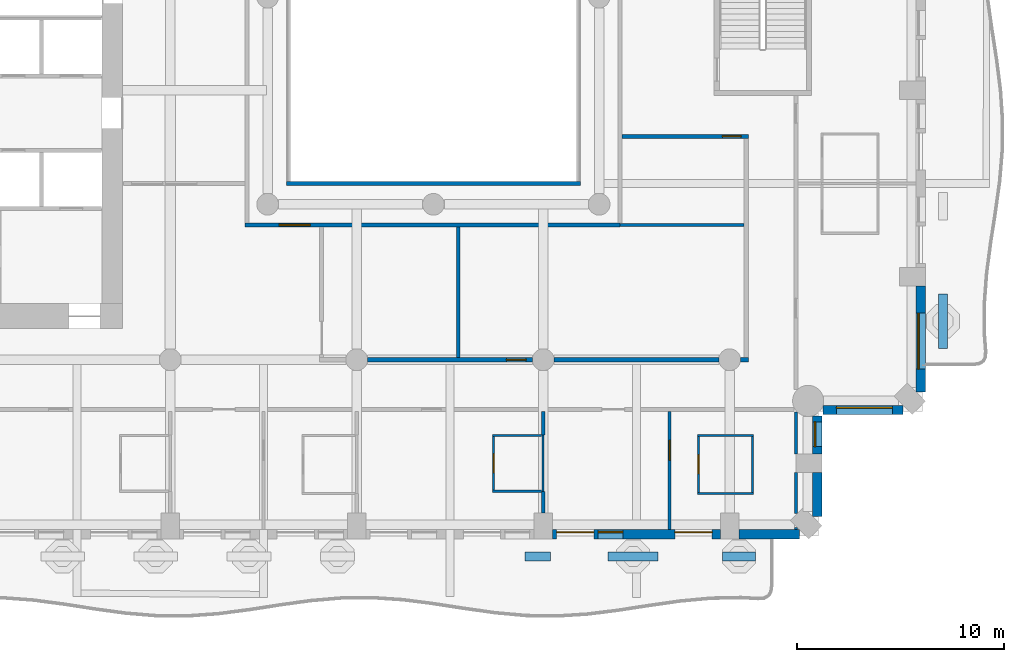
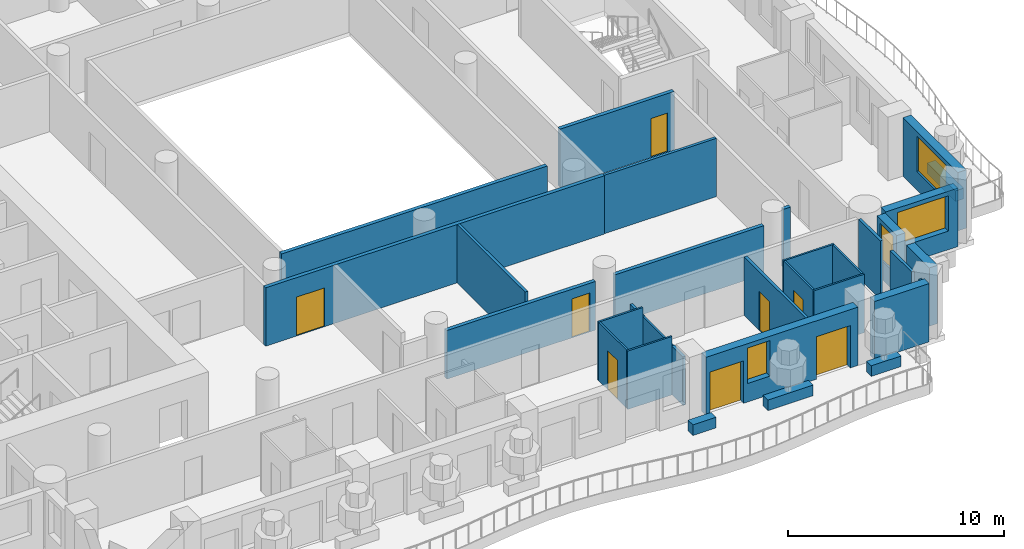
# One storey, part 5 of 19: 32 walls, 8 doors, 4 windows, 12 openings.
"""IFC4 building model written with IfcOpenShell, lengths in metres."""

from ifc_helpers import new_model, si_unit, direction, frame, frame_2d, origin, place, context, subcontext, project, spatial, rectangle, extrude, material, layer, layer_set, type_object, element, fill, save


model = new_model("IFC4")

# Units and contexts
model_context = context("Model", 3, precision=1e-05, world=origin(), true_north=direction((0.0, 1.0)))
body_context = subcontext(model_context, "Body", "Model", "MODEL_VIEW")
ifc_project = project(units=[si_unit("LENGTHUNIT", "METRE"), si_unit("AREAUNIT", "SQUARE_METRE"), si_unit("VOLUMEUNIT", "CUBIC_METRE"), si_unit("PLANEANGLEUNIT", "RADIAN"), si_unit("MASSUNIT", "GRAM", prefix="KILO")], contexts=[model_context])

# Site, building, storey
site_placement = place(None, origin())
site = spatial("IfcSite", under=ifc_project, at=site_placement, CompositionType="ELEMENT")
building_placement = place(site_placement, origin())
building = spatial("IfcBuilding", under=site, at=building_placement, Name="Cypress Arch Tower", CompositionType="ELEMENT")
storey_placement = place(building_placement, frame((0.0, 0.0, 105.89990234375)))
storey = spatial("IfcBuildingStorey", under=building, at=storey_placement, Name="L21", CompositionType="ELEMENT", Elevation=105.89990234375)

# Walls
ifc_material_1 = material(Name="Concrete C40/50, waterproofed", Category="concrete")
ifc_layer_1 = layer(ifc_material_1, 0.449951171875)
ifc_layer_set_1 = layer_set([ifc_layer_1], Name="Balcony planter wall PW450")
wall_type_1 = type_object("IfcWallType", Name="Balcony planter wall PW450", PredefinedType="SOLIDWALL", material=ifc_layer_set_1)
wall_1_placement = place(storey_placement, frame((5.419921875, -27.0, 0.0), z_axis=(0.0, 0.0, 1.0), x_axis=(1.0, 0.0, 0.0)))
element("IfcWall", 1, at=wall_1_placement, inside=storey, type_object=wall_type_1, Name="Balcony planter wall L21-A03.5", PredefinedType="SOLIDWALL", context=body_context, shape_type="SweptSolid", body=[
    extrude(rectangle(XDim=1.22998046875, YDim=0.449951171875, at=frame_2d((0.614990234375, 0.0))), origin(), (0.0, 0.0, 1.0), 0.60009765625),
])
wall_2_placement = place(storey_placement, frame((9.429931640625, -27.0, 0.0), z_axis=(0.0, 0.0, 1.0), x_axis=(1.0, 0.0, 0.0)))
element("IfcWall", 2, at=wall_2_placement, inside=storey, type_object=wall_type_1, Name="Balcony planter wall L21-A03.6", PredefinedType="SOLIDWALL", context=body_context, shape_type="SweptSolid", body=[
    extrude(rectangle(XDim=2.420166015625, YDim=0.449951171875, at=frame_2d((1.2099609375, 0.0))), origin(), (0.0, 0.0, 1.0), 0.60009765625),
])
wall_3_placement = place(storey_placement, frame((14.949951171875, -27.0, 0.0), z_axis=(0.0, 0.0, 1.0), x_axis=(1.0, 0.0, 0.0)))
element("IfcWall", 3, at=wall_3_placement, inside=storey, type_object=wall_type_1, Name="Balcony planter wall L21-A03.7", PredefinedType="SOLIDWALL", context=body_context, shape_type="SweptSolid", body=[
    extrude(rectangle(XDim=1.60009765625, YDim=0.449951171875, at=frame_2d((0.800048828125, 0.0))), origin(), (0.0, 0.0, 1.0), 0.60009765625),
])
wall_4_placement = place(storey_placement, frame((25.60009765625, -16.949951171875, 0.0), z_axis=(0.0, 0.0, 1.0), x_axis=(0.0, 1.0, 0.0)))
element("IfcWall", 4, at=wall_4_placement, inside=storey, type_object=wall_type_1, Name="Balcony planter wall L21-A06.1", PredefinedType="SOLIDWALL", context=body_context, shape_type="SweptSolid", body=[
    extrude(rectangle(XDim=2.6142578125, YDim=0.449951171875, at=frame_2d((1.30712890625, 0.0))), origin(), (0.0, 0.0, 1.0), 0.60009765625),
])

# Wall, openings, doors, window
ifc_material_2 = material(Name="Brick (red buff blend)", Category="masonry")
ifc_layer_2 = layer(ifc_material_2, 0.449951171875)
ifc_layer_set_2 = layer_set([ifc_layer_2], Name="Brick pier and spandrel wall BW450")
wall_type_2 = type_object("IfcWallType", Name="Brick pier and spandrel wall BW450", PredefinedType="SOLIDWALL", material=ifc_layer_set_2)
wall_5_placement = place(storey_placement, frame((6.75, -25.925048828125, 0.0), z_axis=(0.0, 0.0, 1.0), x_axis=(1.0, 0.0, 0.0)))
wall_5 = element("IfcWall", 5, at=wall_5_placement, inside=storey, type_object=wall_type_2, Name="Brick wall L21 A03.4", PredefinedType="SOLIDWALL", context=body_context, shape_type="SweptSolid", body=[
    extrude(rectangle(XDim=8.10009765625, YDim=0.449951171875, at=frame_2d((4.050048828125, 0.0))), origin(), (0.0, 0.0, 1.0), 3.300048828125),
])
opening_1_placement = place(wall_5_placement, frame((0.199951171875, 0.0, 0.0)))
opening_1 = element("IfcOpeningElement", 6, at=opening_1_placement, cuts=wall_5, Name="Opening D-L21-A03.4.1", PredefinedType="OPENING", context=body_context, shape_type="SweptSolid", body=[
    extrude(rectangle(XDim=1.800048828125, YDim=2.39990234375, at=frame_2d((0.89990234375, 1.199951171875))), frame((0.0, 0.23486328125, 0.0), z_axis=(0.0, -1.0, 0.0), x_axis=(1.0, 0.0, 0.0)), (0.0, 0.0, 1.0), 0.469970703125),
])
opening_2_placement = place(wall_5_placement, frame((2.199951171875, 0.0, 1.050048828125)))
opening_2 = element("IfcOpeningElement", 7, at=opening_2_placement, cuts=wall_5, Name="Opening W120HD", PredefinedType="OPENING", context=body_context, shape_type="SweptSolid", body=[
    extrude(rectangle(XDim=1.199951171875, YDim=2.0, at=frame_2d((0.60009765625, 1.0))), frame((0.0, 0.23486328125, 0.0), z_axis=(0.0, -1.0, 0.0), x_axis=(1.0, 0.0, 0.0)), (0.0, 0.0, 1.0), 0.469970703125),
])
opening_3_placement = place(wall_5_placement, frame((5.89990234375, 0.0, 0.0)))
opening_3 = element("IfcOpeningElement", 8, at=opening_3_placement, cuts=wall_5, Name="Opening D-L21-A03.4.2", PredefinedType="OPENING", context=body_context, shape_type="SweptSolid", body=[
    extrude(rectangle(XDim=1.800048828125, YDim=2.39990234375, at=frame_2d((0.89990234375, 1.199951171875))), frame((0.0, 0.23486328125, 0.0), z_axis=(0.0, -1.0, 0.0), x_axis=(1.0, 0.0, 0.0)), (0.0, 0.0, 1.0), 0.469970703125),
])
ifc_material_3 = material(Name="Anodised aluminium, bronze finish, laminated low-emissivity double glazing, large-missile impact rated", Category="aluminium")
door_type_1 = type_object("IfcDoorType", Name="Balcony sliding door 1800x2400", OperationType="SLIDING_TO_LEFT", PredefinedType="DOOR", material=ifc_material_3)
door_1_placement = place(opening_1_placement, origin())
door_1 = element("IfcDoor", 9, at=door_1_placement, inside=storey, type_object=door_type_1, Name="Balcony door L21 A03.4.1", OperationType="SLIDING_TO_LEFT", OverallHeight=2.39990234375, OverallWidth=1.800048828125, PredefinedType="DOOR", context=body_context, shape_type="SweptSolid", body=[
    extrude(rectangle(XDim=1.800048828125, YDim=2.39990234375, at=frame_2d((0.89990234375, 1.199951171875))), frame((0.0, 0.1298828125, 0.0), z_axis=(0.0, -1.0, 0.0), x_axis=(1.0, 0.0, 0.0)), (0.0, 0.0, 1.0), 0.050048828125),
])
fill(opening_1, door_1)
door_2_placement = place(opening_3_placement, origin())
door_2 = element("IfcDoor", 10, at=door_2_placement, inside=storey, type_object=door_type_1, Name="Balcony door L21 A03.4.2", OperationType="SLIDING_TO_LEFT", OverallHeight=2.39990234375, OverallWidth=1.800048828125, PredefinedType="DOOR", context=body_context, shape_type="SweptSolid", body=[
    extrude(rectangle(XDim=1.800048828125, YDim=2.39990234375, at=frame_2d((0.89990234375, 1.199951171875))), frame((0.0, 0.1298828125, 0.0), z_axis=(0.0, -1.0, 0.0), x_axis=(1.0, 0.0, 0.0)), (0.0, 0.0, 1.0), 0.050048828125),
])
fill(opening_3, door_2)
ifc_material_4 = material(Name="Anodised aluminium, bronze finish, laminated low-emissivity double glazing, large-missile impact rated", Category="aluminium")
window_type_1 = type_object("IfcWindowType", Name="Window Hotel 1200x2000 debris-rated", PartitioningType="SINGLE_PANEL", PredefinedType="WINDOW", material=ifc_material_4)
window_1_placement = place(opening_2_placement, origin())
window_1 = element("IfcWindow", 11, at=window_1_placement, inside=storey, type_object=window_type_1, Name="Window L21 A03.4.1", OverallHeight=2.0, OverallWidth=1.199951171875, PartitioningType="SINGLE_PANEL", PredefinedType="WINDOW", context=body_context, shape_type="SweptSolid", body=[
    extrude(rectangle(XDim=1.199951171875, YDim=2.0, at=frame_2d((0.60009765625, 1.0))), frame((0.0, 0.135009765625, 0.0), z_axis=(0.0, -1.0, 0.0), x_axis=(1.0, 0.0, 0.0)), (0.0, 0.0, 1.0), 0.06005859375),
])
fill(opening_2, window_1)

# Walls
wall_6_placement = place(storey_placement, frame((15.75, -25.925048828125, 0.0), z_axis=(0.0, 0.0, 1.0), x_axis=(1.0, 0.0, 0.0)))
element("IfcWall", 12, at=wall_6_placement, inside=storey, type_object=wall_type_2, Name="Brick wall L21 A03.5", PredefinedType="SOLIDWALL", context=body_context, shape_type="SweptSolid", body=[
    extrude(rectangle(XDim=2.91357421875, YDim=0.449951171875, at=frame_2d((1.456787109375, 0.0))), origin(), (0.0, 0.0, 1.0), 3.300048828125),
])
wall_7_placement = place(storey_placement, frame((19.52490234375, -25.063720703125, 0.0), z_axis=(0.0, 0.0, 1.0), x_axis=(0.0, 1.0, 0.0)))
element("IfcWall", 13, at=wall_7_placement, inside=storey, type_object=wall_type_2, Name="Brick wall L21 A04.0", PredefinedType="SOLIDWALL", context=body_context, shape_type="SweptSolid", body=[
    extrude(rectangle(XDim=2.11376953125, YDim=0.449951171875, at=frame_2d((1.056884765625, 0.0))), origin(), (0.0, 0.0, 1.0), 3.300048828125),
])

# Wall, opening, window
wall_8_placement = place(storey_placement, frame((19.52490234375, -22.050048828125, 0.0), z_axis=(0.0, 0.0, 1.0), x_axis=(0.0, 1.0, 0.0)))
wall_8 = element("IfcWall", 14, at=wall_8_placement, inside=storey, type_object=wall_type_2, Name="Brick wall L21 A04.1", PredefinedType="SOLIDWALL", context=body_context, shape_type="SweptSolid", body=[
    extrude(rectangle(XDim=1.843017578125, YDim=0.449951171875, at=frame_2d((0.92138671875, 0.0))), origin(), (0.0, 0.0, 1.0), 3.300048828125),
])
opening_4_placement = place(wall_8_placement, frame((0.35009765625, 0.0, 1.050048828125)))
opening_4 = element("IfcOpeningElement", 15, at=opening_4_placement, cuts=wall_8, Name="Opening W120H", PredefinedType="OPENING", context=body_context, shape_type="SweptSolid", body=[
    extrude(rectangle(XDim=1.199951171875, YDim=2.0, at=frame_2d((0.60009765625, 1.0))), frame((0.0, 0.23486328125, 0.0), z_axis=(0.0, -1.0, 0.0), x_axis=(1.0, 0.0, 0.0)), (0.0, 0.0, 1.0), 0.469970703125),
])
ifc_material_5 = material(Name="Anodised aluminium, bronze finish, clear low-emissivity double glazing", Category="aluminium")
window_type_2 = type_object("IfcWindowType", Name="Window Hotel 1200x2000", PartitioningType="SINGLE_PANEL", PredefinedType="WINDOW", material=ifc_material_5)
window_2_placement = place(opening_4_placement, origin())
window_2 = element("IfcWindow", 16, at=window_2_placement, inside=storey, type_object=window_type_2, Name="Window L21 A04.1.1", OverallHeight=2.0, OverallWidth=1.199951171875, PartitioningType="SINGLE_PANEL", PredefinedType="WINDOW", context=body_context, shape_type="SweptSolid", body=[
    extrude(rectangle(XDim=1.199951171875, YDim=2.0, at=frame_2d((0.60009765625, 1.0))), frame((0.0, 0.135009765625, 0.0), z_axis=(0.0, -1.0, 0.0), x_axis=(1.0, 0.0, 0.0)), (0.0, 0.0, 1.0), 0.06005859375),
])
fill(opening_4, window_2)

wall_9_placement = place(storey_placement, frame((19.806884765625, -19.925048828125, 0.0), z_axis=(0.0, 0.0, 1.0), x_axis=(1.0, 0.0, 0.0)))
wall_9 = element("IfcWall", 17, at=wall_9_placement, inside=storey, type_object=wall_type_2, Name="Brick wall L21 A05.0", PredefinedType="SOLIDWALL", context=body_context, shape_type="SweptSolid", body=[
    extrude(rectangle(XDim=3.856689453125, YDim=0.449951171875, at=frame_2d((1.92822265625, 0.0))), origin(), (0.0, 0.0, 1.0), 3.300048828125),
])
opening_5_placement = place(wall_9_placement, frame((0.64306640625, 0.0, 1.050048828125)))
opening_5 = element("IfcOpeningElement", 18, at=opening_5_placement, cuts=wall_9, Name="Opening W270H", PredefinedType="OPENING", context=body_context, shape_type="SweptSolid", body=[
    extrude(rectangle(XDim=2.699951171875, YDim=2.0, at=frame_2d((1.35009765625, 1.0))), frame((0.0, 0.23486328125, 0.0), z_axis=(0.0, -1.0, 0.0), x_axis=(1.0, 0.0, 0.0)), (0.0, 0.0, 1.0), 0.469970703125),
])
ifc_material_6 = material(Name="Anodised aluminium, bronze finish, clear low-emissivity double glazing", Category="aluminium")
window_type_3 = type_object("IfcWindowType", Name="Window Hotel 2700x2000", PartitioningType="SINGLE_PANEL", PredefinedType="WINDOW", material=ifc_material_6)
window_3_placement = place(opening_5_placement, origin())
window_3 = element("IfcWindow", 19, at=window_3_placement, inside=storey, type_object=window_type_3, Name="Window L21 A05.0.1", OverallHeight=2.0, OverallWidth=2.699951171875, PartitioningType="SINGLE_PANEL", PredefinedType="WINDOW", context=body_context, shape_type="SweptSolid", body=[
    extrude(rectangle(XDim=2.699951171875, YDim=2.0, at=frame_2d((1.35009765625, 1.0))), frame((0.0, 0.135009765625, 0.0), z_axis=(0.0, -1.0, 0.0), x_axis=(1.0, 0.0, 0.0)), (0.0, 0.0, 1.0), 0.06005859375),
])
fill(opening_5, window_3)

wall_10_placement = place(storey_placement, frame((24.52490234375, -19.063720703125, 0.0), z_axis=(0.0, 0.0, 1.0), x_axis=(0.0, 1.0, 0.0)))
wall_10 = element("IfcWall", 20, at=wall_10_placement, inside=storey, type_object=wall_type_2, Name="Brick wall L21 A06.0", PredefinedType="SOLIDWALL", context=body_context, shape_type="SweptSolid", body=[
    extrude(rectangle(XDim=5.11376953125, YDim=0.449951171875, at=frame_2d((2.556884765625, 0.0))), origin(), (0.0, 0.0, 1.0), 3.300048828125),
])
opening_6_placement = place(wall_10_placement, frame((1.113525390625, 0.0, 1.050048828125)))
opening_6 = element("IfcOpeningElement", 21, at=opening_6_placement, cuts=wall_10, Name="Opening W270HD", PredefinedType="OPENING", context=body_context, shape_type="SweptSolid", body=[
    extrude(rectangle(XDim=2.699951171875, YDim=2.0, at=frame_2d((1.35009765625, 1.0))), frame((0.0, 0.23486328125, 0.0), z_axis=(0.0, -1.0, 0.0), x_axis=(1.0, 0.0, 0.0)), (0.0, 0.0, 1.0), 0.469970703125),
])
ifc_material_7 = material(Name="Anodised aluminium, bronze finish, laminated low-emissivity double glazing, large-missile impact rated", Category="aluminium")
window_type_4 = type_object("IfcWindowType", Name="Window Hotel 2700x2000 debris-rated", PartitioningType="SINGLE_PANEL", PredefinedType="WINDOW", material=ifc_material_7)
window_4_placement = place(opening_6_placement, origin())
window_4 = element("IfcWindow", 22, at=window_4_placement, inside=storey, type_object=window_type_4, Name="Window L21 A06.0.1", OverallHeight=2.0, OverallWidth=2.699951171875, PartitioningType="SINGLE_PANEL", PredefinedType="WINDOW", context=body_context, shape_type="SweptSolid", body=[
    extrude(rectangle(XDim=2.699951171875, YDim=2.0, at=frame_2d((1.35009765625, 1.0))), frame((0.0, 0.135009765625, 0.0), z_axis=(0.0, -1.0, 0.0), x_axis=(1.0, 0.0, 0.0)), (0.0, 0.0, 1.0), 0.06005859375),
])
fill(opening_6, window_4)

# Wall, opening, door
ifc_material_8 = material(Name="Concrete blockwork, plastered, rated", Category="masonry")
ifc_layer_3 = layer(ifc_material_8, 0.199951171875)
ifc_layer_set_3 = layer_set([ifc_layer_3], Name="Corridor wall FW200")
wall_type_3 = type_object("IfcWallType", Name="Corridor wall FW200", PredefinedType="PARTITIONING", material=ifc_layer_set_3)
wall_11_placement = place(storey_placement, frame((-8.10009765625, -11.0, 0.0), z_axis=(0.0, 0.0, 1.0), x_axis=(1.0, 0.0, 0.0)))
wall_11 = element("IfcWall", 23, at=wall_11_placement, inside=storey, type_object=wall_type_3, Name="Corridor wall", PredefinedType="PARTITIONING", context=body_context, shape_type="SweptSolid", body=[
    extrude(rectangle(XDim=18.10009765625, YDim=0.199951171875, at=frame_2d((9.050048828125, 0.0))), origin(), (0.0, 0.0, 1.0), 3.300048828125),
])
opening_7_placement = place(wall_11_placement, frame((1.64990234375, 0.0, 0.0)))
opening_7 = element("IfcOpeningElement", 24, at=opening_7_placement, cuts=wall_11, Name="Opening D04", PredefinedType="OPENING", context=body_context, shape_type="SweptSolid", body=[
    extrude(rectangle(XDim=1.5, YDim=2.199951171875, at=frame_2d((0.75, 1.10009765625))), frame((0.0, 0.10986328125, 0.0), z_axis=(0.0, -1.0, 0.0), x_axis=(1.0, 0.0, 0.0)), (0.0, 0.0, 1.0), 0.219970703125),
])
ifc_material_9 = material(Name="Timber double door", Category="wood")
door_type_2 = type_object("IfcDoorType", Name="Double door D04 1500x2200", OperationType="DOUBLE_DOOR_SINGLE_SWING", PredefinedType="DOOR", material=ifc_material_9)
door_3_placement = place(opening_7_placement, origin())
door_3 = element("IfcDoor", 25, at=door_3_placement, inside=storey, type_object=door_type_2, Name="Double door", OperationType="DOUBLE_DOOR_SINGLE_SWING", OverallHeight=2.199951171875, OverallWidth=1.5, PredefinedType="DOOR", context=body_context, shape_type="SweptSolid", body=[
    extrude(rectangle(XDim=1.5, YDim=2.199951171875, at=frame_2d((0.75, 1.10009765625))), frame((0.0, 0.02490234375, 0.0), z_axis=(0.0, -1.0, 0.0), x_axis=(1.0, 0.0, 0.0)), (0.0, 0.0, 1.0), 0.050048828125),
])
fill(opening_7, door_3)

# Wall
wall_12_placement = place(storey_placement, frame((-6.10009765625, -9.0, 0.0), z_axis=(0.0, 0.0, 1.0), x_axis=(1.0, 0.0, 0.0)))
element("IfcWall", 26, at=wall_12_placement, inside=storey, type_object=wall_type_3, Name="Corridor wall", PredefinedType="PARTITIONING", context=body_context, shape_type="SweptSolid", body=[
    extrude(rectangle(XDim=14.2001953125, YDim=0.199951171875, at=frame_2d((7.10009765625, 0.0))), origin(), (0.0, 0.0, 1.0), 3.300048828125),
])

# Wall, opening, door
wall_13_placement = place(storey_placement, frame((-2.175048828125, -17.5, 0.0), z_axis=(0.0, 0.0, 1.0), x_axis=(1.0, 0.0, 0.0)))
wall_13 = element("IfcWall", 27, at=wall_13_placement, inside=storey, type_object=wall_type_3, Name="Corridor wall", PredefinedType="PARTITIONING", context=body_context, shape_type="SweptSolid", body=[
    extrude(rectangle(XDim=7.949951171875, YDim=0.199951171875, at=frame_2d((3.97509765625, 0.0))), origin(), (0.0, 0.0, 1.0), 2.75),
])
opening_8_placement = place(wall_13_placement, frame((6.699951171875, 0.0, 0.0)))
opening_8 = element("IfcOpeningElement", 28, at=opening_8_placement, cuts=wall_13, Name="Opening D02", PredefinedType="OPENING", context=body_context, shape_type="SweptSolid", body=[
    extrude(rectangle(XDim=0.949951171875, YDim=2.199951171875, at=frame_2d((0.47509765625, 1.10009765625))), frame((0.0, 0.10986328125, 0.0), z_axis=(0.0, -1.0, 0.0), x_axis=(1.0, 0.0, 0.0)), (0.0, 0.0, 1.0), 0.219970703125),
])
ifc_material_10 = material(Name="Timber flush door, fire resisting", Category="wood")
door_type_3 = type_object("IfcDoorType", Name="Room door D02 950x2200", OperationType="SINGLE_SWING_LEFT", PredefinedType="DOOR", material=ifc_material_10)
door_4_placement = place(opening_8_placement, origin())
door_4 = element("IfcDoor", 29, at=door_4_placement, inside=storey, type_object=door_type_3, Name="Room door", OperationType="SINGLE_SWING_RIGHT", OverallHeight=2.199951171875, OverallWidth=0.949951171875, PredefinedType="DOOR", context=body_context, shape_type="SweptSolid", body=[
    extrude(rectangle(XDim=0.949951171875, YDim=2.199951171875, at=frame_2d((0.47509765625, 1.10009765625))), frame((0.0, 0.02490234375, 0.0), z_axis=(0.0, -1.0, 0.0), x_axis=(1.0, 0.0, 0.0)), (0.0, 0.0, 1.0), 0.050048828125),
])
fill(opening_8, door_4)

# Walls
wall_14_placement = place(storey_placement, frame((6.824951171875, -17.5, 0.0), z_axis=(0.0, 0.0, 1.0), x_axis=(1.0, 0.0, 0.0)))
element("IfcWall", 30, at=wall_14_placement, inside=storey, type_object=wall_type_3, Name="Corridor wall", PredefinedType="PARTITIONING", context=body_context, shape_type="SweptSolid", body=[
    extrude(rectangle(XDim=7.949951171875, YDim=0.199951171875, at=frame_2d((3.97509765625, 0.0))), origin(), (0.0, 0.0, 1.0), 2.75),
])
wall_15_placement = place(storey_placement, frame((15.824951171875, -17.5, 0.0), z_axis=(0.0, 0.0, 1.0), x_axis=(1.0, 0.0, 0.0)))
element("IfcWall", 31, at=wall_15_placement, inside=storey, type_object=wall_type_3, Name="Corridor wall", PredefinedType="PARTITIONING", context=body_context, shape_type="SweptSolid", body=[
    extrude(rectangle(XDim=0.375, YDim=0.199951171875, at=frame_2d((0.1875, 0.0))), origin(), (0.0, 0.0, 1.0), 3.300048828125),
])

# Wall, opening, door
wall_16_placement = place(storey_placement, frame((10.10009765625, -6.72509765625, 0.0), z_axis=(0.0, 0.0, 1.0), x_axis=(1.0, 0.0, 0.0)))
wall_16 = element("IfcWall", 32, at=wall_16_placement, inside=storey, type_object=wall_type_3, Name="Corridor wall", PredefinedType="PARTITIONING", context=body_context, shape_type="SweptSolid", body=[
    extrude(rectangle(XDim=6.099853515625, YDim=0.199951171875, at=frame_2d((3.0498046875, 0.0))), origin(), (0.0, 0.0, 1.0), 3.300048828125),
])
opening_9_placement = place(wall_16_placement, frame((4.85009765625, 0.0, 0.0)))
opening_9 = element("IfcOpeningElement", 33, at=opening_9_placement, cuts=wall_16, Name="Opening D05", PredefinedType="OPENING", context=body_context, shape_type="SweptSolid", body=[
    extrude(rectangle(XDim=0.89990234375, YDim=2.199951171875, at=frame_2d((0.449951171875, 1.10009765625))), frame((0.0, 0.10986328125, 0.0), z_axis=(0.0, -1.0, 0.0), x_axis=(1.0, 0.0, 0.0)), (0.0, 0.0, 1.0), 0.219970703125),
])
ifc_material_11 = material(Name="Timber flush door", Category="wood")
door_type_4 = type_object("IfcDoorType", Name="Service door D05 900x2200", OperationType="SINGLE_SWING_LEFT", PredefinedType="DOOR", material=ifc_material_11)
door_5_placement = place(opening_9_placement, origin())
door_5 = element("IfcDoor", 34, at=door_5_placement, inside=storey, type_object=door_type_4, Name="Service door", OperationType="SINGLE_SWING_LEFT", OverallHeight=2.199951171875, OverallWidth=0.89990234375, PredefinedType="DOOR", context=body_context, shape_type="SweptSolid", body=[
    extrude(rectangle(XDim=0.89990234375, YDim=2.199951171875, at=frame_2d((0.449951171875, 1.10009765625))), frame((0.0, 0.02490234375, 0.0), z_axis=(0.0, -1.0, 0.0), x_axis=(1.0, 0.0, 0.0)), (0.0, 0.0, 1.0), 0.050048828125),
])
fill(opening_9, door_5)

# Walls
ifc_material_12 = material(Name="Blockwork, plastered both sides", Category="masonry")
ifc_layer_4 = layer(ifc_material_12, 0.14990234375)
ifc_layer_set_4 = layer_set([ifc_layer_4], Name="Partition PW150")
wall_type_4 = type_object("IfcWallType", Name="Partition PW150", PredefinedType="PARTITIONING", material=ifc_layer_set_4)
wall_17_placement = place(storey_placement, frame((2.199951171875, -17.39990234375, 0.0), z_axis=(0.0, 0.0, 1.0), x_axis=(0.0, 1.0, 0.0)))
element("IfcWall", 35, at=wall_17_placement, inside=storey, type_object=wall_type_4, Name="Partition", PredefinedType="PARTITIONING", context=body_context, shape_type="SweptSolid", body=[
    extrude(rectangle(XDim=6.2998046875, YDim=0.14990234375, at=frame_2d((3.14990234375, 0.0))), origin(), (0.0, 0.0, 1.0), 3.300048828125),
])
wall_18_placement = place(storey_placement, frame((6.300048828125, -24.89990234375, 0.0), z_axis=(0.0, 0.0, 1.0), x_axis=(0.0, 1.0, 0.0)))
element("IfcWall", 36, at=wall_18_placement, inside=storey, type_object=wall_type_4, Name="Partition", PredefinedType="PARTITIONING", context=body_context, shape_type="SweptSolid", body=[
    extrude(rectangle(XDim=1.02978515625, YDim=0.14990234375, at=frame_2d((0.514892578125, 0.0))), origin(), (0.0, 0.0, 1.0), 2.75),
])
wall_19_placement = place(storey_placement, frame((6.300048828125, -21.1298828125, 0.0), z_axis=(0.0, 0.0, 1.0), x_axis=(0.0, 1.0, 0.0)))
element("IfcWall", 37, at=wall_19_placement, inside=storey, type_object=wall_type_4, Name="Partition", PredefinedType="PARTITIONING", context=body_context, shape_type="SweptSolid", body=[
    extrude(rectangle(XDim=1.1298828125, YDim=0.14990234375, at=frame_2d((0.56494140625, 0.0))), origin(), (0.0, 0.0, 1.0), 2.75),
])
wall_20_placement = place(storey_placement, frame((10.0, -11.0, 0.0), z_axis=(0.0, 0.0, 1.0), x_axis=(1.0, 0.0, 0.0)))
element("IfcWall", 38, at=wall_20_placement, inside=storey, type_object=wall_type_4, Name="Partition", PredefinedType="PARTITIONING", context=body_context, shape_type="SweptSolid", body=[
    extrude(rectangle(XDim=6.0, YDim=0.14990234375, at=frame_2d((3.0, 0.0))), origin(), (0.0, 0.0, 1.0), 3.300048828125),
])

# Wall, opening, door
wall_21_placement = place(storey_placement, frame((12.39990234375, -25.699951171875, 0.0), z_axis=(0.0, 0.0, 1.0), x_axis=(0.0, 1.0, 0.0)))
wall_21 = element("IfcWall", 39, at=wall_21_placement, inside=storey, type_object=wall_type_4, Name="Partition", PredefinedType="PARTITIONING", context=body_context, shape_type="SweptSolid", body=[
    extrude(rectangle(XDim=5.699951171875, YDim=0.14990234375, at=frame_2d((2.85009765625, 0.0))), origin(), (0.0, 0.0, 1.0), 3.300048828125),
])
opening_10_placement = place(wall_21_placement, frame((3.35009765625, 0.0, 0.0)))
opening_10 = element("IfcOpeningElement", 40, at=opening_10_placement, cuts=wall_21, Name="Opening D12", PredefinedType="OPENING", context=body_context, shape_type="SweptSolid", body=[
    extrude(rectangle(XDim=0.949951171875, YDim=2.199951171875, at=frame_2d((0.47509765625, 1.10009765625))), frame((0.0, 0.0849609375, 0.0), z_axis=(0.0, -1.0, 0.0), x_axis=(1.0, 0.0, 0.0)), (0.0, 0.0, 1.0), 0.169921875),
])
ifc_material_13 = material(Name="Timber flush door", Category="wood")
door_type_5 = type_object("IfcDoorType", Name="Room door D12 950x2200", OperationType="SINGLE_SWING_LEFT", PredefinedType="DOOR", material=ifc_material_13)
door_6_placement = place(opening_10_placement, origin())
door_6 = element("IfcDoor", 41, at=door_6_placement, inside=storey, type_object=door_type_5, Name="Room door", OperationType="SINGLE_SWING_RIGHT", OverallHeight=2.199951171875, OverallWidth=0.949951171875, PredefinedType="DOOR", context=body_context, shape_type="SweptSolid", body=[
    extrude(rectangle(XDim=0.949951171875, YDim=2.199951171875, at=frame_2d((0.47509765625, 1.10009765625))), frame((0.0, 0.02490234375, 0.0), z_axis=(0.0, -1.0, 0.0), x_axis=(1.0, 0.0, 0.0)), (0.0, 0.0, 1.0), 0.050048828125),
])
fill(opening_10, door_6)

# Walls
wall_22_placement = place(storey_placement, frame((18.5, -25.699951171875, 0.0), z_axis=(0.0, 0.0, 1.0), x_axis=(0.0, 1.0, 0.0)))
element("IfcWall", 42, at=wall_22_placement, inside=storey, type_object=wall_type_4, Name="Partition", PredefinedType="PARTITIONING", context=body_context, shape_type="SweptSolid", body=[
    extrude(rectangle(XDim=0.103515625, YDim=0.14990234375, at=frame_2d((0.0517578125, 0.0))), origin(), (0.0, 0.0, 1.0), 3.300048828125),
])
wall_23_placement = place(storey_placement, frame((18.5, -24.935791015625, 0.0), z_axis=(0.0, 0.0, 1.0), x_axis=(0.0, 1.0, 0.0)))
element("IfcWall", 43, at=wall_23_placement, inside=storey, type_object=wall_type_4, Name="Partition", PredefinedType="PARTITIONING", context=body_context, shape_type="SweptSolid", body=[
    extrude(rectangle(XDim=1.98583984375, YDim=0.14990234375, at=frame_2d((0.992919921875, 0.0))), origin(), (0.0, 0.0, 1.0), 3.300048828125),
])
wall_24_placement = place(storey_placement, frame((18.5, -22.050048828125, 0.0), z_axis=(0.0, 0.0, 1.0), x_axis=(0.0, 1.0, 0.0)))
element("IfcWall", 44, at=wall_24_placement, inside=storey, type_object=wall_type_4, Name="Partition", PredefinedType="PARTITIONING", context=body_context, shape_type="SweptSolid", body=[
    extrude(rectangle(XDim=2.031982421875, YDim=0.14990234375, at=frame_2d((1.01611328125, 0.0))), origin(), (0.0, 0.0, 1.0), 3.300048828125),
])

# Wall, opening, door
ifc_material_14 = material(Name="Moisture resistant board on steel studs, tiled", Category="steel")
ifc_layer_5 = layer(ifc_material_14, 0.10009765625)
ifc_layer_set_5 = layer_set([ifc_layer_5], Name="Wet wall PW100")
wall_type_5 = type_object("IfcWallType", Name="Wet wall PW100", PredefinedType="PARTITIONING", material=ifc_layer_set_5)
wall_25_placement = place(storey_placement, frame((3.904052734375, -23.800048828125, 0.0), z_axis=(0.0, 0.0, 1.0), x_axis=(0.0, 1.0, 0.0)))
wall_25 = element("IfcWall", 45, at=wall_25_placement, inside=storey, type_object=wall_type_5, Name="Wet wall", PredefinedType="PARTITIONING", context=body_context, shape_type="SweptSolid", body=[
    extrude(rectangle(XDim=2.60009765625, YDim=0.10009765625, at=frame_2d((1.300048828125, 0.0))), origin(), (0.0, 0.0, 1.0), 3.300048828125),
])
opening_11_placement = place(wall_25_placement, frame((0.85009765625, 0.0, 0.0)))
opening_11 = element("IfcOpeningElement", 46, at=opening_11_placement, cuts=wall_25, Name="Opening D03", PredefinedType="OPENING", context=body_context, shape_type="SweptSolid", body=[
    extrude(rectangle(XDim=0.89990234375, YDim=2.199951171875, at=frame_2d((0.449951171875, 1.10009765625))), frame((0.0, 0.06005859375, 0.0), z_axis=(0.0, -1.0, 0.0), x_axis=(1.0, 0.0, 0.0)), (0.0, 0.0, 1.0), 0.1201171875),
])
ifc_material_15 = material(Name="Timber flush door, moisture resistant", Category="wood")
door_type_6 = type_object("IfcDoorType", Name="Bathroom door D03 900x2200", OperationType="SINGLE_SWING_LEFT", PredefinedType="DOOR", material=ifc_material_15)
door_7_placement = place(opening_11_placement, origin())
door_7 = element("IfcDoor", 47, at=door_7_placement, inside=storey, type_object=door_type_6, Name="Bathroom door", OperationType="SINGLE_SWING_RIGHT", OverallHeight=2.199951171875, OverallWidth=0.89990234375, PredefinedType="DOOR", context=body_context, shape_type="SweptSolid", body=[
    extrude(rectangle(XDim=0.89990234375, YDim=2.199951171875, at=frame_2d((0.449951171875, 1.10009765625))), frame((0.0, 0.02490234375, 0.0), z_axis=(0.0, -1.0, 0.0), x_axis=(1.0, 0.0, 0.0)), (0.0, 0.0, 1.0), 0.050048828125),
])
fill(opening_11, door_7)

# Walls
for number, where, z_axis, x_axis, name in (
    (48, (3.85400390625, -23.85009765625, 0.0), (0.0, 0.0, 1.0), (1.0, 0.0, 0.0), "Wet wall"),
    (49, (3.85400390625, -21.14990234375, 0.0), (0.0, 0.0, 1.0), (1.0, 0.0, 0.0), "Wet wall"),
):
    element("IfcWall", number, at=place(storey_placement, frame(where, z_axis=z_axis, x_axis=x_axis)), inside=storey, type_object=wall_type_5, Name=name, PredefinedType="PARTITIONING", context=body_context, shape_type="SweptSolid", body=[
        extrude(rectangle(XDim=2.37109375, YDim=0.10009765625, at=frame_2d((1.185546875, 0.0))), origin(), (0.0, 0.0, 1.0), 3.300048828125),
    ])
wall_26_placement = place(storey_placement, frame((6.300048828125, -23.8701171875, 0.0), z_axis=(0.0, 0.0, 1.0), x_axis=(0.0, 1.0, 0.0)))
element("IfcWall", 50, at=wall_26_placement, inside=storey, type_object=wall_type_5, Name="Wet wall", PredefinedType="PARTITIONING", context=body_context, shape_type="SweptSolid", body=[
    extrude(rectangle(XDim=2.740234375, YDim=0.10009765625, at=frame_2d((1.3701171875, 0.0))), origin(), (0.0, 0.0, 1.0), 2.75),
])

# Wall, opening, door
wall_27_placement = place(storey_placement, frame((13.7958984375, -23.89990234375, 0.0), z_axis=(0.0, 0.0, 1.0), x_axis=(0.0, 1.0, 0.0)))
wall_27 = element("IfcWall", 51, at=wall_27_placement, inside=storey, type_object=wall_type_5, Name="Wet wall", PredefinedType="PARTITIONING", context=body_context, shape_type="SweptSolid", body=[
    extrude(rectangle(XDim=2.699951171875, YDim=0.10009765625, at=frame_2d((1.35009765625, 0.0))), origin(), (0.0, 0.0, 1.0), 3.300048828125),
])
opening_12_placement = place(wall_27_placement, frame((0.89990234375, 0.0, 0.0)))
opening_12 = element("IfcOpeningElement", 52, at=opening_12_placement, cuts=wall_27, Name="Opening D03", PredefinedType="OPENING", context=body_context, shape_type="SweptSolid", body=[
    extrude(rectangle(XDim=0.89990234375, YDim=2.199951171875, at=frame_2d((0.449951171875, 1.10009765625))), frame((0.0, 0.06005859375, 0.0), z_axis=(0.0, -1.0, 0.0), x_axis=(1.0, 0.0, 0.0)), (0.0, 0.0, 1.0), 0.1201171875),
])
door_8_placement = place(opening_12_placement, origin())
door_8 = element("IfcDoor", 53, at=door_8_placement, inside=storey, type_object=door_type_6, Name="Bathroom door", OperationType="SINGLE_SWING_LEFT", OverallHeight=2.199951171875, OverallWidth=0.89990234375, PredefinedType="DOOR", context=body_context, shape_type="SweptSolid", body=[
    extrude(rectangle(XDim=0.89990234375, YDim=2.199951171875, at=frame_2d((0.449951171875, 1.10009765625))), frame((0.0, 0.02490234375, 0.0), z_axis=(0.0, -1.0, 0.0), x_axis=(1.0, 0.0, 0.0)), (0.0, 0.0, 1.0), 0.050048828125),
])
fill(opening_12, door_8)

# Walls
for number, where, z_axis, x_axis, name in (
    (54, (13.74609375, -23.949951171875, 0.0), (0.0, 0.0, 1.0), (1.0, 0.0, 0.0), "Wet wall"),
    (55, (13.74609375, -21.14990234375, 0.0), (0.0, 0.0, 1.0), (1.0, 0.0, 0.0), "Wet wall"),
    (56, (16.39599609375, -23.89990234375, 0.0), (0.0, 0.0, 1.0), (0.0, 1.0, 0.0), "Wet wall"),
):
    element("IfcWall", number, at=place(storey_placement, frame(where, z_axis=z_axis, x_axis=x_axis)), inside=storey, type_object=wall_type_5, Name=name, PredefinedType="PARTITIONING", context=body_context, shape_type="SweptSolid", body=[
        extrude(rectangle(XDim=2.699951171875, YDim=0.10009765625, at=frame_2d((1.35009765625, 0.0))), origin(), (0.0, 0.0, 1.0), 3.300048828125),
    ])

save(model, "model.ifc")
